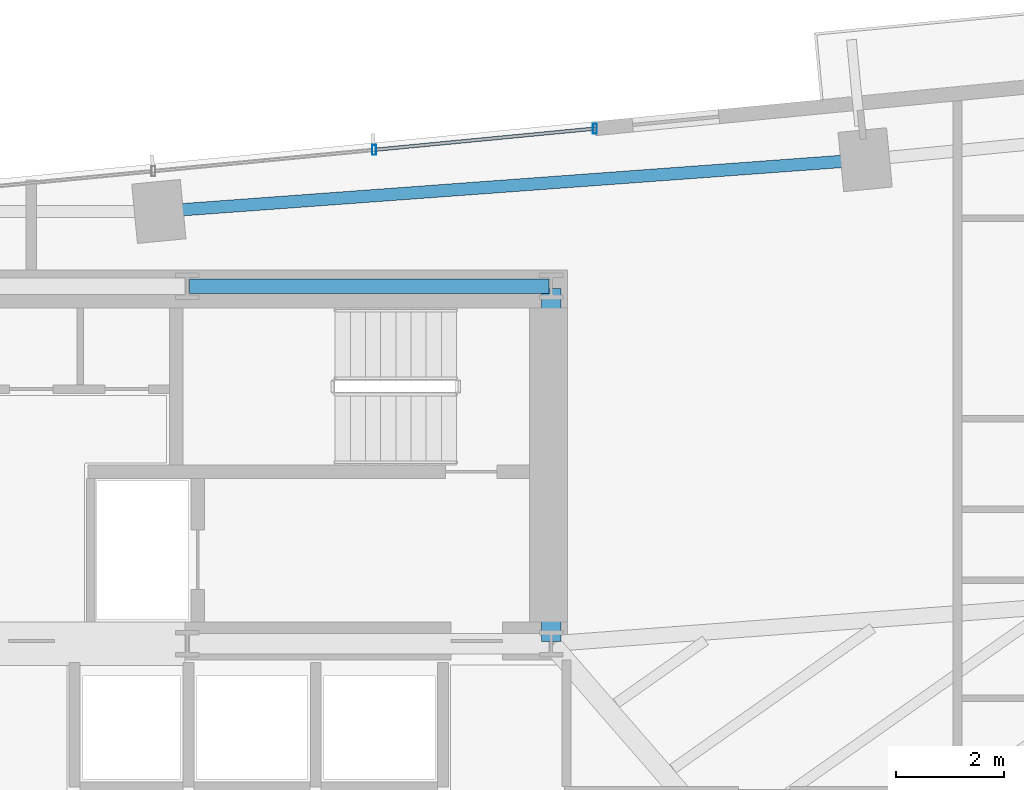
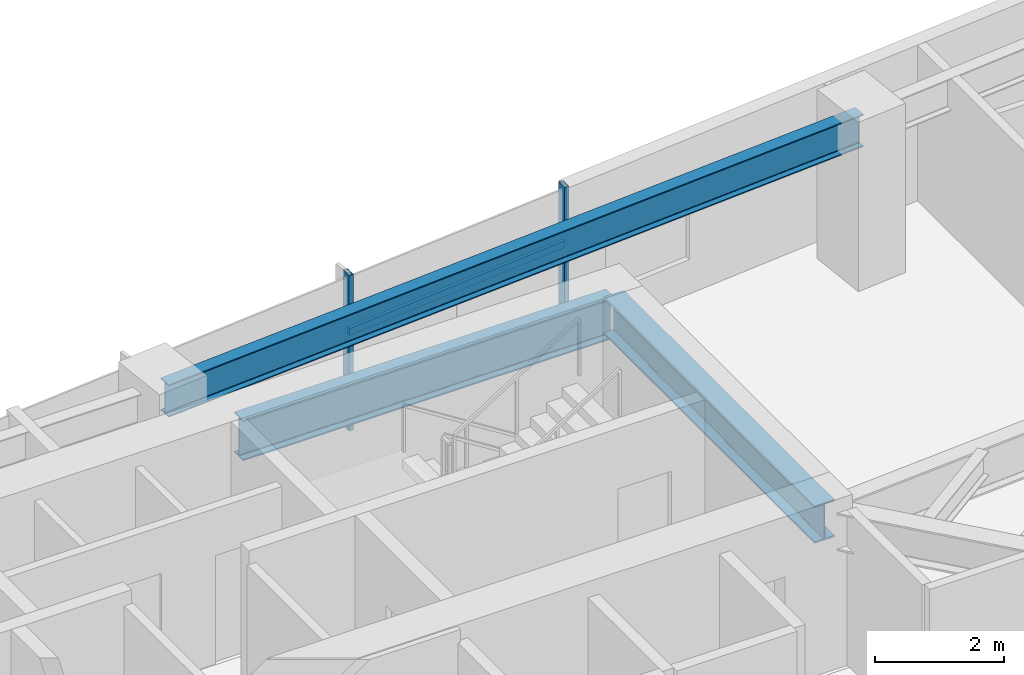
# One storey, part 17 of 27: 3 beams, 3 members, 1 element without a shape of its own.
"""IFC4 building model written with IfcOpenShell, lengths in metres."""

from ifc_helpers import new_model, si_unit, direction, frame, origin, origin_2d, place, context, subcontext, project, spatial, hollow_rectangle, i_section, extrude, source, transform, mapped, material, material_profile, profile_set, type_object, type_shapes, element, aggregate, save


model = new_model("IFC4")

# Units and contexts
model_context = context("Model", 3, precision=1e-05, world=origin(), true_north=direction((0.0, 1.0)))
body_context = subcontext(model_context, "Body", "Model", "MODEL_VIEW")
ifc_project = project(units=[si_unit("LENGTHUNIT", "METRE"), si_unit("AREAUNIT", "SQUARE_METRE"), si_unit("VOLUMEUNIT", "CUBIC_METRE"), si_unit("PLANEANGLEUNIT", "RADIAN"), si_unit("MASSUNIT", "GRAM", prefix="KILO")], contexts=[model_context])

# Site, building, storey
site_placement = place(None, origin())
site = spatial("IfcSite", under=ifc_project, at=site_placement, CompositionType="ELEMENT")
building_placement = place(site_placement, origin())
building = spatial("IfcBuilding", under=site, at=building_placement, Name="Astriad Promenade Condominiums", CompositionType="ELEMENT")
storey_placement = place(building_placement, frame((0.0, 0.0, 84.199951171875)))
storey = spatial("IfcBuildingStorey", under=building, at=storey_placement, Name="L23", CompositionType="ELEMENT", Elevation=84.199951171875)

# Beams
ifc_material_1 = material(Name="Steel ASTM A992 Grade 50", Category="steel")
ifc_material_profile_1 = material_profile(ifc_material_1, i_section(OverallWidth=0.267822265625, OverallDepth=0.76953125, WebThickness=0.015625, FlangeThickness=0.025390625, FilletRadius=0.021484375, at=origin_2d()), Name="W30X132")
ifc_profile_set_1 = profile_set([ifc_material_profile_1], Name="Steel ASTM A992 Grade 50")
beam_type_1 = type_object("IfcBeamType", Name="STEEL FLOOR GIRDER W30X132", PredefinedType="BEAM", material=ifc_profile_set_1)
shared_shape_1 = source(origin(), body_context, "Body", "SweptSolid", [
    extrude(i_section(OverallWidth=0.267822265625, OverallDepth=0.76953125, WebThickness=0.015625, FlangeThickness=0.025390625, FilletRadius=0.021484375, at=origin_2d()), origin(), (0.0, 0.0, 1.0), 6.64013671875),
])
type_shapes(beam_type_1, [shared_shape_1])
beam_1_placement = place(storey_placement, frame((38.919921875, 24.0, 2.55517578125), z_axis=(1.0, 0.0, 0.0), x_axis=(0.0, 1.0, 0.0)))
element("IfcBeam", 1, at=beam_1_placement, inside=storey, type_object=beam_type_1, Name="Core Ring Beam CG-N3-L23", PredefinedType="BEAM", context=body_context, shape_type="MappedRepresentation", body=[
    mapped(shared_shape_1, transform((0.0, 0.0, 0.0), scale=1.0)),
])
ifc_material_profile_2 = material_profile(ifc_material_1, i_section(OverallWidth=0.35791015625, OverallDepth=0.706298828125, WebThickness=0.018310546875, FlangeThickness=0.0302734375, FilletRadius=0.020263671875, at=origin_2d()), Name="W27X178")
ifc_profile_set_2 = profile_set([ifc_material_profile_2], Name="Steel ASTM A992 Grade 50")
beam_type_2 = type_object("IfcBeamType", Name="STEEL FLOOR GIRDER W27X178", PredefinedType="BEAM", material=ifc_profile_set_2)
shared_shape_2 = source(origin(), body_context, "Body", "SweptSolid", [
    extrude(i_section(OverallWidth=0.35791015625, OverallDepth=0.706298828125, WebThickness=0.018310546875, FlangeThickness=0.0302734375, FilletRadius=0.020263671875, at=origin_2d()), origin(), (0.0, 0.0, 1.0), 6.52001953125),
])
type_shapes(beam_type_2, [shared_shape_2])
beam_2_placement = place(storey_placement, frame((45.60009765625, 17.43994140625, 2.5869140625), z_axis=(0.0, 1.0, 0.0), x_axis=(-1.0, 0.0, 0.0)))
element("IfcBeam", 2, at=beam_2_placement, inside=storey, type_object=beam_type_2, Name="Core Ring Beam CG-E1-L23", PredefinedType="BEAM", context=body_context, shape_type="MappedRepresentation", body=[
    mapped(shared_shape_2, transform((0.0, 0.0, 0.0), scale=1.0)),
])
ifc_material_profile_3 = material_profile(ifc_material_1, i_section(OverallWidth=0.22900390625, OverallDepth=0.612060546875, WebThickness=0.011962890625, FlangeThickness=0.01953125, FilletRadius=0.017822265625, at=origin_2d()), Name="W24X84")
ifc_profile_set_3 = profile_set([ifc_material_profile_3], Name="Steel ASTM A992 Grade 50")
beam_type_3 = type_object("IfcBeamType", Name="STEEL SPANDREL BEAM W24X84", PredefinedType="SPANDREL", material=ifc_profile_set_3)
shared_shape_3 = source(origin(), body_context, "Body", "SweptSolid", [
    extrude(i_section(OverallWidth=0.22900390625, OverallDepth=0.612060546875, WebThickness=0.011962890625, FlangeThickness=0.01953125, FilletRadius=0.017822265625, at=origin_2d()), origin(), (0.0, 0.0, 1.0), 12.99462890625),
])
type_shapes(beam_type_3, [shared_shape_3])
beam_3_placement = place(storey_placement, frame((51.3544921875, 26.33203125, 2.634033203125), z_axis=(-0.997328518297, -0.073046742505, 0.0), x_axis=(0.073046742505, -0.997328518297, 0.0)))
element("IfcBeam", 3, at=beam_3_placement, inside=storey, type_object=beam_type_3, Name="Perimeter Spandrel Beam SP-N3-L23", PredefinedType="SPANDREL", context=body_context, shape_type="MappedRepresentation", body=[
    mapped(shared_shape_3, transform((0.0, 0.0, 0.0), scale=1.0)),
])

# Curtain wall, members
ifc_material_2 = material(Name="Anodised aluminium Black Dark Glass Unitised", Category="aluminium")
curtain_wall_type = type_object("IfcCurtainWallType", Name="CW-B2-DARK", PredefinedType="USERDEFINED", material=ifc_material_2)
curtain_wall_placement = place(storey_placement, origin())
curtain_wall = element("IfcCurtainWall", 4, at=curtain_wall_placement, inside=storey, type_object=curtain_wall_type, Name="CW-L23-N", ObjectType="UNITISED_CURTAIN_WALL", PredefinedType="USERDEFINED")
ifc_material_3 = material(Name="Anodised aluminium 6063-T6 Black", Category="aluminium")
ifc_material_profile_4 = material_profile(ifc_material_3, hollow_rectangle(XDim=0.074951171875, YDim=0.18505859375, WallThickness=0.00439453125, at=origin_2d()), Name="ALU-MUL-75X185")
ifc_profile_set_4 = profile_set([ifc_material_profile_4], Name="Anodised aluminium 6063-T6 Black")
member_type_1 = type_object("IfcMemberType", Name="MUL-ALU-MUL-75X185", PredefinedType="MULLION", material=ifc_profile_set_4)
shared_shape_4 = source(origin(), body_context, "Body", "SweptSolid", [
    extrude(hollow_rectangle(XDim=0.074951171875, YDim=0.18505859375, WallThickness=0.00439453125, at=origin_2d()), origin(), (0.0, 0.0, 1.0), 2.93994140625),
])
type_shapes(member_type_1, [shared_shape_4])
member_1_placement = place(storey_placement, frame((42.330078125, 26.51708984375, 0.0), z_axis=(0.0, 0.0, 1.0), x_axis=(1.0, 0.0, 0.0)))
member_1 = element("IfcMember", 5, at=member_1_placement, type_object=member_type_1, Name="CW-L23-N-MUL-03", PredefinedType="MULLION", context=body_context, shape_type="MappedRepresentation", body=[
    mapped(shared_shape_4, transform((0.0, 0.0, 0.0), scale=1.0)),
])
member_2_placement = place(storey_placement, frame((46.40625, 26.90966796875, 0.0), z_axis=(0.0, 0.0, 1.0), x_axis=(1.0, 0.0, 0.0)))
member_2 = element("IfcMember", 6, at=member_2_placement, type_object=member_type_1, Name="CW-L23-N-MUL-04", PredefinedType="MULLION", context=body_context, shape_type="MappedRepresentation", body=[
    mapped(shared_shape_4, transform((0.0, 0.0, 0.0), scale=1.0)),
])
ifc_material_profile_5 = material_profile(ifc_material_3, hollow_rectangle(XDim=0.06494140625, YDim=0.1298828125, WallThickness=0.00390625, at=origin_2d()), Name="ALU-TRN-65X130")
ifc_profile_set_5 = profile_set([ifc_material_profile_5], Name="Anodised aluminium 6063-T6 Black")
member_type_2 = type_object("IfcMemberType", Name="TRN-ALU-TRN-65X130", PredefinedType="USERDEFINED", material=ifc_profile_set_5)
shared_shape_5 = source(origin(), body_context, "Body", "SweptSolid", [
    extrude(hollow_rectangle(XDim=0.06494140625, YDim=0.1298828125, WallThickness=0.00390625, at=origin_2d()), origin(), (0.0, 0.0, 1.0), 4.094970703125),
])
type_shapes(member_type_2, [shared_shape_5])
member_3_placement = place(storey_placement, frame((42.330078125, 26.51708984375, 1.82275390625), z_axis=(0.995394161585, 0.09586690296, 0.0), x_axis=(-0.09586690296, 0.995394161585, 0.0)))
member_3 = element("IfcMember", 7, at=member_3_placement, type_object=member_type_2, Name="CW-L23-N-TRN-03-0", ObjectType="TRANSOM", PredefinedType="USERDEFINED", context=body_context, shape_type="MappedRepresentation", body=[
    mapped(shared_shape_5, transform((0.0, 0.0, 0.0), scale=1.0)),
])
aggregate(curtain_wall, [member_1, member_2, member_3])

save(model, "model.ifc")
